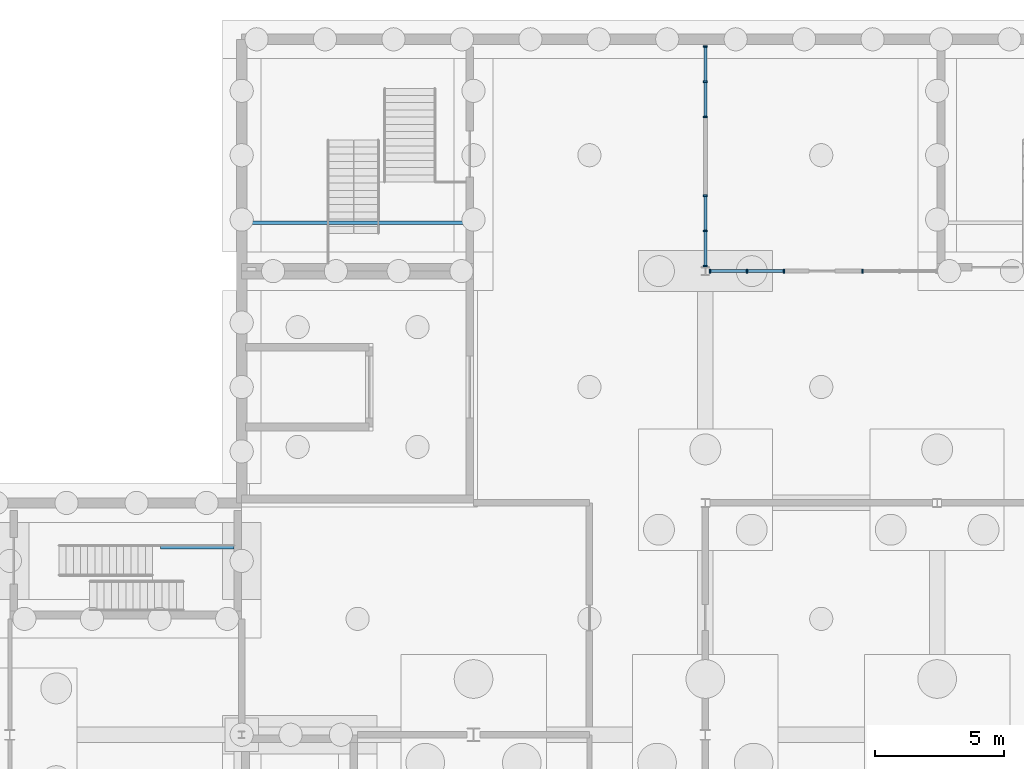
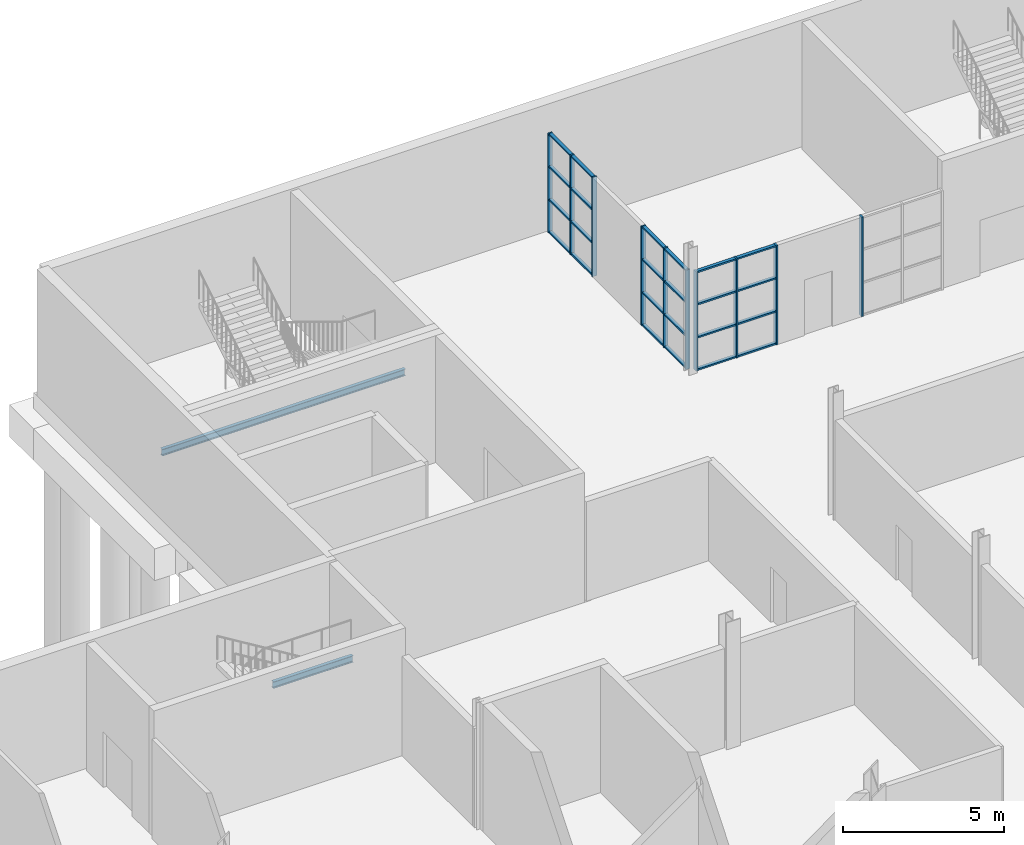
# One storey, part 8 of 17: 34 members, 2 beams, 4 elements without a shape of their own.
"""IFC4 building model written with IfcOpenShell, lengths in metres."""

from ifc_helpers import new_model, si_unit, direction, frame, origin, origin_2d, place, context, subcontext, project, spatial, rectangle, i_section, extrude, material, layer, layer_set, material_profile, profile_set, type_object, element, aggregate, save


model = new_model("IFC4")

# Units and contexts
model_context = context("Model", 3, precision=1e-05, world=origin(), true_north=direction((0.0, 1.0)))
body_context = subcontext(model_context, "Body", "Model", "MODEL_VIEW")
ifc_project = project(units=[si_unit("LENGTHUNIT", "METRE"), si_unit("AREAUNIT", "SQUARE_METRE"), si_unit("VOLUMEUNIT", "CUBIC_METRE"), si_unit("PLANEANGLEUNIT", "RADIAN"), si_unit("MASSUNIT", "GRAM", prefix="KILO")], contexts=[model_context])

# Site, building, storey
site_placement = place(None, origin())
site = spatial("IfcSite", under=ifc_project, at=site_placement, CompositionType="ELEMENT")
building_placement = place(site_placement, origin())
building = spatial("IfcBuilding", under=site, at=building_placement, Name="Halyard Row Museum", CompositionType="ELEMENT")
storey_placement = place(building_placement, frame((0.0, 0.0, -9.60009765625)))
storey = spatial("IfcBuildingStorey", under=building, at=storey_placement, Name="B2", CompositionType="ELEMENT", Elevation=-9.60009765625)

# Curtain wall, members
ifc_material_1 = material(Name="Fire-resisting laminated glazing", Category="glass")
ifc_layer = layer(ifc_material_1, 0.159912109375)
ifc_layer_set = layer_set([ifc_layer], Name="Fire-resisting laminated glazing")
curtain_wall_type = type_object("IfcCurtainWallType", Name="Curtain wall atrium screen 160 deep", PredefinedType="NOTDEFINED", material=ifc_layer_set)
curtain_wall_1_placement = place(storey_placement, origin())
curtain_wall_1 = element("IfcCurtainWall", 1, at=curtain_wall_1_placement, inside=storey, type_object=curtain_wall_type, Name="Curtain wall CW114", PredefinedType="NOTDEFINED")
ifc_material_2 = material(Name="Powder-coated aluminium section", Category="aluminium")
ifc_material_profile_1 = material_profile(ifc_material_2, rectangle(XDim=0.159912109375, YDim=0.06005859375, at=origin_2d()), Name="160x60 mullion")
ifc_profile_set_1 = profile_set([ifc_material_profile_1], Name="Powder-coated aluminium section")
member_type_1 = type_object("IfcMemberType", Name="Curtain wall mullion CM5 60 x 160", PredefinedType="MULLION", material=ifc_profile_set_1)
member_1_placement = place(storey_placement, frame((90.0, 54.193603515625, 0.0), z_axis=(0.0, 0.0, 1.0), x_axis=(-1.0, 0.0, 0.0)))
member_1 = element("IfcMember", 2, at=member_1_placement, type_object=member_type_1, Name="CW114 mullion 1", PredefinedType="MULLION", context=body_context, shape_type="SweptSolid", body=[
    extrude(rectangle(XDim=0.159912109375, YDim=0.06005859375, at=origin_2d()), origin(), (0.0, 0.0, 1.0), 3.758056640625),
])
member_2_placement = place(storey_placement, frame((90.0, 55.560302734375, 0.0), z_axis=(0.0, 0.0, 1.0), x_axis=(-1.0, 0.0, 0.0)))
member_2 = element("IfcMember", 3, at=member_2_placement, type_object=member_type_1, Name="CW114 mullion 2", PredefinedType="MULLION", context=body_context, shape_type="SweptSolid", body=[
    extrude(rectangle(XDim=0.159912109375, YDim=0.06005859375, at=origin_2d()), origin(), (0.0, 0.0, 1.0), 3.758056640625),
])
member_3_placement = place(storey_placement, frame((90.0, 56.9267578125, 0.0), z_axis=(0.0, 0.0, 1.0), x_axis=(-1.0, 0.0, 0.0)))
member_3 = element("IfcMember", 4, at=member_3_placement, type_object=member_type_1, Name="CW114 mullion 3", PredefinedType="MULLION", context=body_context, shape_type="SweptSolid", body=[
    extrude(rectangle(XDim=0.159912109375, YDim=0.06005859375, at=origin_2d()), origin(), (0.0, 0.0, 1.0), 3.758056640625),
])

curtain_wall_2_placement = place(storey_placement, origin())
curtain_wall_2 = element("IfcCurtainWall", 5, at=curtain_wall_2_placement, inside=storey, type_object=curtain_wall_type, Name="Curtain wall CW115", PredefinedType="NOTDEFINED")
member_4_placement = place(storey_placement, frame((90.0, 59.98681640625, 0.0), z_axis=(0.0, 0.0, 1.0), x_axis=(-1.0, 0.0, 0.0)))
member_4 = element("IfcMember", 6, at=member_4_placement, type_object=member_type_1, Name="CW115 mullion 1", PredefinedType="MULLION", context=body_context, shape_type="SweptSolid", body=[
    extrude(rectangle(XDim=0.159912109375, YDim=0.06005859375, at=origin_2d()), origin(), (0.0, 0.0, 1.0), 3.758056640625),
])
member_5_placement = place(storey_placement, frame((90.0, 61.353515625, 0.0), z_axis=(0.0, 0.0, 1.0), x_axis=(-1.0, 0.0, 0.0)))
member_5 = element("IfcMember", 7, at=member_5_placement, type_object=member_type_1, Name="CW115 mullion 2", PredefinedType="MULLION", context=body_context, shape_type="SweptSolid", body=[
    extrude(rectangle(XDim=0.159912109375, YDim=0.06005859375, at=origin_2d()), origin(), (0.0, 0.0, 1.0), 3.758056640625),
])
member_6_placement = place(storey_placement, frame((90.0, 62.719970703125, 0.0), z_axis=(0.0, 0.0, 1.0), x_axis=(-1.0, 0.0, 0.0)))
member_6 = element("IfcMember", 8, at=member_6_placement, type_object=member_type_1, Name="CW115 mullion 3", PredefinedType="MULLION", context=body_context, shape_type="SweptSolid", body=[
    extrude(rectangle(XDim=0.159912109375, YDim=0.06005859375, at=origin_2d()), origin(), (0.0, 0.0, 1.0), 3.758056640625),
])

curtain_wall_3_placement = place(storey_placement, origin())
curtain_wall_3 = element("IfcCurtainWall", 9, at=curtain_wall_3_placement, inside=storey, type_object=curtain_wall_type, Name="Curtain wall CW116", PredefinedType="NOTDEFINED")
member_7_placement = place(storey_placement, frame((90.185546875, 54.0, 0.0), z_axis=(0.0, 0.0, 1.0), x_axis=(0.0, 1.0, 0.0)))
member_7 = element("IfcMember", 10, at=member_7_placement, type_object=member_type_1, Name="CW116 mullion 1", PredefinedType="MULLION", context=body_context, shape_type="SweptSolid", body=[
    extrude(rectangle(XDim=0.159912109375, YDim=0.06005859375, at=origin_2d()), origin(), (0.0, 0.0, 1.0), 3.758056640625),
])
member_8_placement = place(storey_placement, frame((91.61669921875, 54.0, 0.0), z_axis=(0.0, 0.0, 1.0), x_axis=(0.0, 1.0, 0.0)))
member_8 = element("IfcMember", 11, at=member_8_placement, type_object=member_type_1, Name="CW116 mullion 2", PredefinedType="MULLION", context=body_context, shape_type="SweptSolid", body=[
    extrude(rectangle(XDim=0.159912109375, YDim=0.06005859375, at=origin_2d()), origin(), (0.0, 0.0, 1.0), 3.758056640625),
])
member_9_placement = place(storey_placement, frame((93.0478515625, 54.0, 0.0), z_axis=(0.0, 0.0, 1.0), x_axis=(0.0, 1.0, 0.0)))
member_9 = element("IfcMember", 12, at=member_9_placement, type_object=member_type_1, Name="CW116 mullion 3", PredefinedType="MULLION", context=body_context, shape_type="SweptSolid", body=[
    extrude(rectangle(XDim=0.159912109375, YDim=0.06005859375, at=origin_2d()), origin(), (0.0, 0.0, 1.0), 3.758056640625),
])

# Curtain wall, member
curtain_wall_4_placement = place(storey_placement, origin())
curtain_wall_4 = element("IfcCurtainWall", 13, at=curtain_wall_4_placement, inside=storey, type_object=curtain_wall_type, Name="Curtain wall CW117", PredefinedType="NOTDEFINED")
member_10_placement = place(storey_placement, frame((96.107666015625, 54.0, 0.0), z_axis=(0.0, 0.0, 1.0), x_axis=(0.0, 1.0, 0.0)))
member_10 = element("IfcMember", 14, at=member_10_placement, type_object=member_type_1, Name="CW117 mullion 1", PredefinedType="MULLION", context=body_context, shape_type="SweptSolid", body=[
    extrude(rectangle(XDim=0.159912109375, YDim=0.06005859375, at=origin_2d()), origin(), (0.0, 0.0, 1.0), 3.758056640625),
])
aggregate(curtain_wall_4, [member_10])

# Member
ifc_material_3 = material(Name="Powder-coated aluminium section", Category="aluminium")
ifc_material_profile_2 = material_profile(ifc_material_3, rectangle(XDim=0.1201171875, YDim=0.06005859375, at=origin_2d()), Name="120x60 transom")
ifc_profile_set_2 = profile_set([ifc_material_profile_2], Name="Powder-coated aluminium section")
member_type_2 = type_object("IfcMemberType", Name="Curtain wall transom CT5 60 x 120", PredefinedType="USERDEFINED", material=ifc_profile_set_2)
member_11_placement = place(storey_placement, frame((90.0, 54.2236328125, 0.030029296875), z_axis=(0.0, 1.0, 0.0), x_axis=(-1.0, 0.0, 0.0)))
member_11 = element("IfcMember", 15, at=member_11_placement, type_object=member_type_2, Name="CW114 transom 1.1", ObjectType="TRANSOM", PredefinedType="USERDEFINED", context=body_context, shape_type="SweptSolid", body=[
    extrude(rectangle(XDim=0.1201171875, YDim=0.06005859375, at=origin_2d()), origin(), (0.0, 0.0, 1.0), 1.306640625),
])

member_12_placement = place(storey_placement, frame((90.0, 54.2236328125, 1.252685546875), z_axis=(0.0, 1.0, 0.0), x_axis=(-1.0, 0.0, 0.0)))
member_12 = element("IfcMember", 16, at=member_12_placement, type_object=member_type_2, Name="CW114 transom 1.2", ObjectType="TRANSOM", PredefinedType="USERDEFINED", context=body_context, shape_type="SweptSolid", body=[
    extrude(rectangle(XDim=0.1201171875, YDim=0.06005859375, at=origin_2d()), origin(), (0.0, 0.0, 1.0), 1.306640625),
])

member_13_placement = place(storey_placement, frame((90.0, 54.2236328125, 2.50537109375), z_axis=(0.0, 1.0, 0.0), x_axis=(-1.0, 0.0, 0.0)))
member_13 = element("IfcMember", 17, at=member_13_placement, type_object=member_type_2, Name="CW114 transom 1.3", ObjectType="TRANSOM", PredefinedType="USERDEFINED", context=body_context, shape_type="SweptSolid", body=[
    extrude(rectangle(XDim=0.1201171875, YDim=0.06005859375, at=origin_2d()), origin(), (0.0, 0.0, 1.0), 1.306640625),
])

member_14_placement = place(storey_placement, frame((90.0, 54.2236328125, 3.72802734375), z_axis=(0.0, 1.0, 0.0), x_axis=(-1.0, 0.0, 0.0)))
member_14 = element("IfcMember", 18, at=member_14_placement, type_object=member_type_2, Name="CW114 transom 1.4", ObjectType="TRANSOM", PredefinedType="USERDEFINED", context=body_context, shape_type="SweptSolid", body=[
    extrude(rectangle(XDim=0.1201171875, YDim=0.06005859375, at=origin_2d()), origin(), (0.0, 0.0, 1.0), 1.306640625),
])

member_15_placement = place(storey_placement, frame((90.0, 55.590087890625, 0.030029296875), z_axis=(0.0, 1.0, 0.0), x_axis=(-1.0, 0.0, 0.0)))
member_15 = element("IfcMember", 19, at=member_15_placement, type_object=member_type_2, Name="CW114 transom 2.1", ObjectType="TRANSOM", PredefinedType="USERDEFINED", context=body_context, shape_type="SweptSolid", body=[
    extrude(rectangle(XDim=0.1201171875, YDim=0.06005859375, at=origin_2d()), origin(), (0.0, 0.0, 1.0), 1.306640625),
])

member_16_placement = place(storey_placement, frame((90.0, 55.590087890625, 1.252685546875), z_axis=(0.0, 1.0, 0.0), x_axis=(-1.0, 0.0, 0.0)))
member_16 = element("IfcMember", 20, at=member_16_placement, type_object=member_type_2, Name="CW114 transom 2.2", ObjectType="TRANSOM", PredefinedType="USERDEFINED", context=body_context, shape_type="SweptSolid", body=[
    extrude(rectangle(XDim=0.1201171875, YDim=0.06005859375, at=origin_2d()), origin(), (0.0, 0.0, 1.0), 1.306640625),
])

member_17_placement = place(storey_placement, frame((90.0, 55.590087890625, 2.50537109375), z_axis=(0.0, 1.0, 0.0), x_axis=(-1.0, 0.0, 0.0)))
member_17 = element("IfcMember", 21, at=member_17_placement, type_object=member_type_2, Name="CW114 transom 2.3", ObjectType="TRANSOM", PredefinedType="USERDEFINED", context=body_context, shape_type="SweptSolid", body=[
    extrude(rectangle(XDim=0.1201171875, YDim=0.06005859375, at=origin_2d()), origin(), (0.0, 0.0, 1.0), 1.306640625),
])

member_18_placement = place(storey_placement, frame((90.0, 55.590087890625, 3.72802734375), z_axis=(0.0, 1.0, 0.0), x_axis=(-1.0, 0.0, 0.0)))
member_18 = element("IfcMember", 22, at=member_18_placement, type_object=member_type_2, Name="CW114 transom 2.4", ObjectType="TRANSOM", PredefinedType="USERDEFINED", context=body_context, shape_type="SweptSolid", body=[
    extrude(rectangle(XDim=0.1201171875, YDim=0.06005859375, at=origin_2d()), origin(), (0.0, 0.0, 1.0), 1.306640625),
])

aggregate(curtain_wall_1, [member_1, member_2, member_3, member_11, member_12, member_13, member_14, member_15, member_16, member_17, member_18])

member_19_placement = place(storey_placement, frame((90.0, 60.016845703125, 0.030029296875), z_axis=(0.0, 1.0, 0.0), x_axis=(-1.0, 0.0, 0.0)))
member_19 = element("IfcMember", 23, at=member_19_placement, type_object=member_type_2, Name="CW115 transom 1.1", ObjectType="TRANSOM", PredefinedType="USERDEFINED", context=body_context, shape_type="SweptSolid", body=[
    extrude(rectangle(XDim=0.1201171875, YDim=0.06005859375, at=origin_2d()), origin(), (0.0, 0.0, 1.0), 1.306640625),
])

member_20_placement = place(storey_placement, frame((90.0, 60.016845703125, 1.252685546875), z_axis=(0.0, 1.0, 0.0), x_axis=(-1.0, 0.0, 0.0)))
member_20 = element("IfcMember", 24, at=member_20_placement, type_object=member_type_2, Name="CW115 transom 1.2", ObjectType="TRANSOM", PredefinedType="USERDEFINED", context=body_context, shape_type="SweptSolid", body=[
    extrude(rectangle(XDim=0.1201171875, YDim=0.06005859375, at=origin_2d()), origin(), (0.0, 0.0, 1.0), 1.306640625),
])

member_21_placement = place(storey_placement, frame((90.0, 60.016845703125, 2.50537109375), z_axis=(0.0, 1.0, 0.0), x_axis=(-1.0, 0.0, 0.0)))
member_21 = element("IfcMember", 25, at=member_21_placement, type_object=member_type_2, Name="CW115 transom 1.3", ObjectType="TRANSOM", PredefinedType="USERDEFINED", context=body_context, shape_type="SweptSolid", body=[
    extrude(rectangle(XDim=0.1201171875, YDim=0.06005859375, at=origin_2d()), origin(), (0.0, 0.0, 1.0), 1.306640625),
])

member_22_placement = place(storey_placement, frame((90.0, 60.016845703125, 3.72802734375), z_axis=(0.0, 1.0, 0.0), x_axis=(-1.0, 0.0, 0.0)))
member_22 = element("IfcMember", 26, at=member_22_placement, type_object=member_type_2, Name="CW115 transom 1.4", ObjectType="TRANSOM", PredefinedType="USERDEFINED", context=body_context, shape_type="SweptSolid", body=[
    extrude(rectangle(XDim=0.1201171875, YDim=0.06005859375, at=origin_2d()), origin(), (0.0, 0.0, 1.0), 1.306640625),
])

member_23_placement = place(storey_placement, frame((90.0, 61.38330078125, 0.030029296875), z_axis=(0.0, 1.0, 0.0), x_axis=(-1.0, 0.0, 0.0)))
member_23 = element("IfcMember", 27, at=member_23_placement, type_object=member_type_2, Name="CW115 transom 2.1", ObjectType="TRANSOM", PredefinedType="USERDEFINED", context=body_context, shape_type="SweptSolid", body=[
    extrude(rectangle(XDim=0.1201171875, YDim=0.06005859375, at=origin_2d()), origin(), (0.0, 0.0, 1.0), 1.306640625),
])

member_24_placement = place(storey_placement, frame((90.0, 61.38330078125, 1.252685546875), z_axis=(0.0, 1.0, 0.0), x_axis=(-1.0, 0.0, 0.0)))
member_24 = element("IfcMember", 28, at=member_24_placement, type_object=member_type_2, Name="CW115 transom 2.2", ObjectType="TRANSOM", PredefinedType="USERDEFINED", context=body_context, shape_type="SweptSolid", body=[
    extrude(rectangle(XDim=0.1201171875, YDim=0.06005859375, at=origin_2d()), origin(), (0.0, 0.0, 1.0), 1.306640625),
])

member_25_placement = place(storey_placement, frame((90.0, 61.38330078125, 2.50537109375), z_axis=(0.0, 1.0, 0.0), x_axis=(-1.0, 0.0, 0.0)))
member_25 = element("IfcMember", 29, at=member_25_placement, type_object=member_type_2, Name="CW115 transom 2.3", ObjectType="TRANSOM", PredefinedType="USERDEFINED", context=body_context, shape_type="SweptSolid", body=[
    extrude(rectangle(XDim=0.1201171875, YDim=0.06005859375, at=origin_2d()), origin(), (0.0, 0.0, 1.0), 1.306640625),
])

member_26_placement = place(storey_placement, frame((90.0, 61.38330078125, 3.72802734375), z_axis=(0.0, 1.0, 0.0), x_axis=(-1.0, 0.0, 0.0)))
member_26 = element("IfcMember", 30, at=member_26_placement, type_object=member_type_2, Name="CW115 transom 2.4", ObjectType="TRANSOM", PredefinedType="USERDEFINED", context=body_context, shape_type="SweptSolid", body=[
    extrude(rectangle(XDim=0.1201171875, YDim=0.06005859375, at=origin_2d()), origin(), (0.0, 0.0, 1.0), 1.306640625),
])

aggregate(curtain_wall_2, [member_4, member_5, member_6, member_19, member_20, member_21, member_22, member_23, member_24, member_25, member_26])

member_27_placement = place(storey_placement, frame((90.215576171875, 54.0, 0.030029296875), z_axis=(1.0, 0.0, 0.0), x_axis=(0.0, 1.0, 0.0)))
member_27 = element("IfcMember", 31, at=member_27_placement, type_object=member_type_2, Name="CW116 transom 1.1", ObjectType="TRANSOM", PredefinedType="USERDEFINED", context=body_context, shape_type="SweptSolid", body=[
    extrude(rectangle(XDim=0.1201171875, YDim=0.06005859375, at=origin_2d()), origin(), (0.0, 0.0, 1.0), 1.37109375),
])

member_28_placement = place(storey_placement, frame((90.215576171875, 54.0, 1.252685546875), z_axis=(1.0, 0.0, 0.0), x_axis=(0.0, 1.0, 0.0)))
member_28 = element("IfcMember", 32, at=member_28_placement, type_object=member_type_2, Name="CW116 transom 1.2", ObjectType="TRANSOM", PredefinedType="USERDEFINED", context=body_context, shape_type="SweptSolid", body=[
    extrude(rectangle(XDim=0.1201171875, YDim=0.06005859375, at=origin_2d()), origin(), (0.0, 0.0, 1.0), 1.37109375),
])

member_29_placement = place(storey_placement, frame((90.215576171875, 54.0, 2.50537109375), z_axis=(1.0, 0.0, 0.0), x_axis=(0.0, 1.0, 0.0)))
member_29 = element("IfcMember", 33, at=member_29_placement, type_object=member_type_2, Name="CW116 transom 1.3", ObjectType="TRANSOM", PredefinedType="USERDEFINED", context=body_context, shape_type="SweptSolid", body=[
    extrude(rectangle(XDim=0.1201171875, YDim=0.06005859375, at=origin_2d()), origin(), (0.0, 0.0, 1.0), 1.37109375),
])

member_30_placement = place(storey_placement, frame((90.215576171875, 54.0, 3.72802734375), z_axis=(1.0, 0.0, 0.0), x_axis=(0.0, 1.0, 0.0)))
member_30 = element("IfcMember", 34, at=member_30_placement, type_object=member_type_2, Name="CW116 transom 1.4", ObjectType="TRANSOM", PredefinedType="USERDEFINED", context=body_context, shape_type="SweptSolid", body=[
    extrude(rectangle(XDim=0.1201171875, YDim=0.06005859375, at=origin_2d()), origin(), (0.0, 0.0, 1.0), 1.37109375),
])

member_31_placement = place(storey_placement, frame((91.646728515625, 54.0, 0.030029296875), z_axis=(1.0, 0.0, 0.0), x_axis=(0.0, 1.0, 0.0)))
member_31 = element("IfcMember", 35, at=member_31_placement, type_object=member_type_2, Name="CW116 transom 2.1", ObjectType="TRANSOM", PredefinedType="USERDEFINED", context=body_context, shape_type="SweptSolid", body=[
    extrude(rectangle(XDim=0.1201171875, YDim=0.06005859375, at=origin_2d()), origin(), (0.0, 0.0, 1.0), 1.37109375),
])

member_32_placement = place(storey_placement, frame((91.646728515625, 54.0, 1.252685546875), z_axis=(1.0, 0.0, 0.0), x_axis=(0.0, 1.0, 0.0)))
member_32 = element("IfcMember", 36, at=member_32_placement, type_object=member_type_2, Name="CW116 transom 2.2", ObjectType="TRANSOM", PredefinedType="USERDEFINED", context=body_context, shape_type="SweptSolid", body=[
    extrude(rectangle(XDim=0.1201171875, YDim=0.06005859375, at=origin_2d()), origin(), (0.0, 0.0, 1.0), 1.37109375),
])

member_33_placement = place(storey_placement, frame((91.646728515625, 54.0, 2.50537109375), z_axis=(1.0, 0.0, 0.0), x_axis=(0.0, 1.0, 0.0)))
member_33 = element("IfcMember", 37, at=member_33_placement, type_object=member_type_2, Name="CW116 transom 2.3", ObjectType="TRANSOM", PredefinedType="USERDEFINED", context=body_context, shape_type="SweptSolid", body=[
    extrude(rectangle(XDim=0.1201171875, YDim=0.06005859375, at=origin_2d()), origin(), (0.0, 0.0, 1.0), 1.37109375),
])

member_34_placement = place(storey_placement, frame((91.646728515625, 54.0, 3.72802734375), z_axis=(1.0, 0.0, 0.0), x_axis=(0.0, 1.0, 0.0)))
member_34 = element("IfcMember", 38, at=member_34_placement, type_object=member_type_2, Name="CW116 transom 2.4", ObjectType="TRANSOM", PredefinedType="USERDEFINED", context=body_context, shape_type="SweptSolid", body=[
    extrude(rectangle(XDim=0.1201171875, YDim=0.06005859375, at=origin_2d()), origin(), (0.0, 0.0, 1.0), 1.37109375),
])

aggregate(curtain_wall_3, [member_7, member_8, member_9, member_27, member_28, member_29, member_30, member_31, member_32, member_33, member_34])

# Beams
ifc_material_4 = material(Name="Steel Grade 300", Category="steel")
ifc_material_profile_3 = material_profile(ifc_material_4, i_section(OverallWidth=0.1240234375, OverallDepth=0.248046875, WebThickness=0.0048828125, FlangeThickness=0.008056640625, FilletRadius=0.011962890625, at=origin_2d()), Name="250UB25.7")
ifc_profile_set_3 = profile_set([ifc_material_profile_3], Name="Steel Grade 300")
beam_type = type_object("IfcBeamType", Name="Landing trimmer 250UB25.7", PredefinedType="BEAM", material=ifc_profile_set_3)
beam_1_placement = place(storey_placement, frame((71.702880859375, 43.278076171875, 2.076171875), z_axis=(-1.0, 0.0, 0.0), x_axis=(0.0, -1.0, 0.0)))
element("IfcBeam", 39, at=beam_1_placement, inside=storey, type_object=beam_type, Name="Landing ledger K1B B2 1", PredefinedType="BEAM", context=body_context, shape_type="SweptSolid", body=[
    extrude(i_section(OverallWidth=0.1240234375, OverallDepth=0.248046875, WebThickness=0.0048828125, FlangeThickness=0.008056640625, FilletRadius=0.011962890625, at=origin_2d()), origin(), (0.0, 0.0, 1.0), 2.852783203125),
])
beam_2_placement = place(storey_placement, frame((80.85009765625, 55.8798828125, 2.076171875), z_axis=(-1.0, 0.0, 0.0), x_axis=(0.0, -1.0, 0.0)))
element("IfcBeam", 40, at=beam_2_placement, inside=storey, type_object=beam_type, Name="Landing trimmer K5A B2 1", PredefinedType="BEAM", context=body_context, shape_type="SweptSolid", body=[
    extrude(i_section(OverallWidth=0.1240234375, OverallDepth=0.248046875, WebThickness=0.0048828125, FlangeThickness=0.008056640625, FilletRadius=0.011962890625, at=origin_2d()), origin(), (0.0, 0.0, 1.0), 8.7001953125),
])

save(model, "model.ifc")
